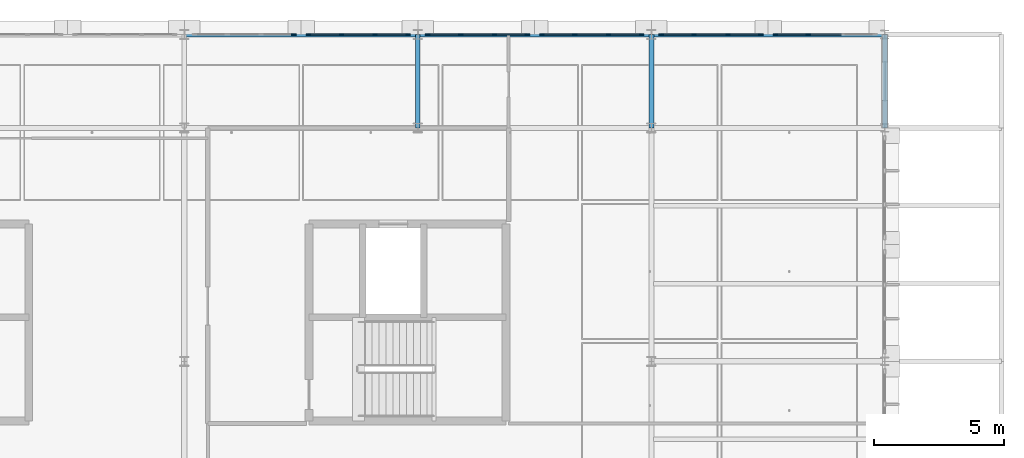
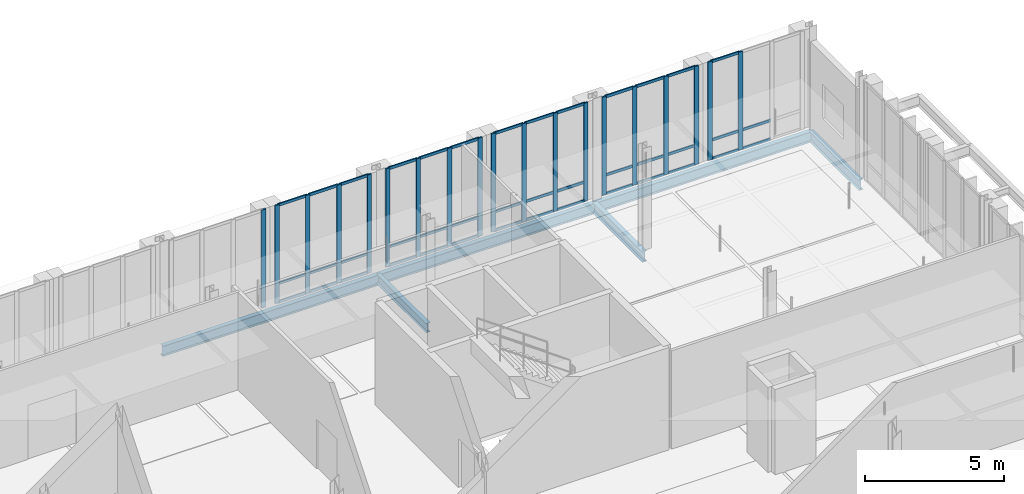
# One storey, part 70 of 140: 60 members, 6 beams, 6 elements without a shape of their own.
"""IFC4 building model written with IfcOpenShell, lengths in metres."""

from ifc_helpers import new_model, si_unit, direction, frame, origin, origin_2d, place, context, subcontext, project, spatial, rectangle, i_section, extrude, material, material_profile, profile_set, type_object, element, aggregate, save


model = new_model("IFC4")

# Units and contexts
model_context = context("Model", 3, precision=1e-05, world=origin(), true_north=direction((0.0, 1.0)))
body_context = subcontext(model_context, "Body", "Model", "MODEL_VIEW")
ifc_project = project(units=[si_unit("LENGTHUNIT", "METRE"), si_unit("AREAUNIT", "SQUARE_METRE"), si_unit("VOLUMEUNIT", "CUBIC_METRE"), si_unit("PLANEANGLEUNIT", "RADIAN"), si_unit("MASSUNIT", "GRAM", prefix="KILO"), si_unit("THERMODYNAMICTEMPERATUREUNIT", "KELVIN"), si_unit("POWERUNIT", "WATT")], contexts=[model_context])

# Site, building, storey
site_placement = place(None, origin())
site = spatial("IfcSite", under=ifc_project, at=site_placement, CompositionType="ELEMENT")
building_placement = place(site_placement, origin())
building = spatial("IfcBuilding", under=site, at=building_placement, Name="Tallowbark Science Centre", CompositionType="ELEMENT")
storey_placement = place(building_placement, frame((0.0, 0.0, 9.89990234375)))
storey = spatial("IfcBuildingStorey", under=building, at=storey_placement, Name="L02", CompositionType="ELEMENT", Elevation=9.89990234375)

# Beam
ifc_material_1 = material(Name="Structural Steel Grade 300PLUS (300 MPa)", Category="steel")
ifc_material_profile_1 = material_profile(ifc_material_1, i_section(OverallWidth=0.177734375, OverallDepth=0.406494140625, WebThickness=0.0078125, FlangeThickness=0.0126953125, FilletRadius=0.011474609375, at=origin_2d()), Name="410UB59.7")
ifc_profile_set_1 = profile_set([ifc_material_profile_1], Name="Structural Steel Grade 300PLUS (300 MPa)")
beam_type_1 = type_object("IfcBeamType", Name="BM-UB410", PredefinedType="BEAM", material=ifc_profile_set_1)
beam_placement = place(storey_placement, frame((139.5, 108.0, -0.383056640625), z_axis=(0.0, 1.0, 0.0), x_axis=(-1.0, 0.0, 0.0)))
element("IfcBeam", 1, at=beam_placement, inside=storey, type_object=beam_type_1, Name="Primary Girder GRDY-L02-1395-1080-1116", PredefinedType="BEAM", context=body_context, shape_type="SweptSolid", body=[
    extrude(i_section(OverallWidth=0.177734375, OverallDepth=0.406494140625, WebThickness=0.0078125, FlangeThickness=0.0126953125, FilletRadius=0.011474609375, at=origin_2d()), origin(), (0.0, 0.0, 1.0), 3.60009765625),
])

# Curtain wall, members
ifc_material_2 = material(Name="Unitised Thermally Broken Aluminium and Low-E Double Glazing", Category="aluminium")
curtain_wall_type = type_object("IfcCurtainWallType", Name="CW-SYS-FACADE", PredefinedType="NOTDEFINED", material=ifc_material_2)
curtain_wall_1_placement = place(storey_placement, origin())
curtain_wall_1 = element("IfcCurtainWall", 2, at=curtain_wall_1_placement, inside=storey, type_object=curtain_wall_type, Name="Unitised Curtain Wall OBS-N-130A CW-L02-148", PredefinedType="NOTDEFINED")
ifc_material_3 = material(Name="Anodised Architectural Aluminium Alloy 6063-T6", Category="aluminium")
ifc_material_profile_2 = material_profile(ifc_material_3, rectangle(XDim=0.06494140625, YDim=0.179931640625, at=origin_2d()), Name="ALU65x180")
ifc_profile_set_2 = profile_set([ifc_material_profile_2], Name="Anodised Architectural Aluminium Alloy 6063-T6")
member_type_1 = type_object("IfcMemberType", Name="CWM-MUL-220", PredefinedType="MULLION", material=ifc_profile_set_2)
member_1_placement = place(storey_placement, frame((139.117431640625, 111.60009765625, 0.0), z_axis=(0.0, 0.0, 1.0), x_axis=(0.0, -1.0, 0.0)))
member_1 = element("IfcMember", 3, at=member_1_placement, type_object=member_type_1, Name="CW-01 mullion 1", PredefinedType="MULLION", context=body_context, shape_type="SweptSolid", body=[
    extrude(rectangle(XDim=0.06494140625, YDim=0.179931640625, at=origin_2d()), origin(), (0.0, 0.0, 1.0), 4.320068359375),
])
member_2_placement = place(storey_placement, frame((137.85009765625, 111.60009765625, 0.0), z_axis=(0.0, 0.0, 1.0), x_axis=(0.0, -1.0, 0.0)))
member_2 = element("IfcMember", 4, at=member_2_placement, type_object=member_type_1, Name="CW-01 mullion 2", PredefinedType="MULLION", context=body_context, shape_type="SweptSolid", body=[
    extrude(rectangle(XDim=0.06494140625, YDim=0.179931640625, at=origin_2d()), origin(), (0.0, 0.0, 1.0), 4.320068359375),
])
member_3_placement = place(storey_placement, frame((136.550048828125, 111.60009765625, 0.0), z_axis=(0.0, 0.0, 1.0), x_axis=(0.0, -1.0, 0.0)))
member_3 = element("IfcMember", 5, at=member_3_placement, type_object=member_type_1, Name="CW-01 mullion 3", PredefinedType="MULLION", context=body_context, shape_type="SweptSolid", body=[
    extrude(rectangle(XDim=0.06494140625, YDim=0.179931640625, at=origin_2d()), origin(), (0.0, 0.0, 1.0), 4.320068359375),
])
member_4_placement = place(storey_placement, frame((135.282470703125, 111.60009765625, 0.0), z_axis=(0.0, 0.0, 1.0), x_axis=(0.0, -1.0, 0.0)))
member_4 = element("IfcMember", 6, at=member_4_placement, type_object=member_type_1, Name="CW-01 mullion 4", PredefinedType="MULLION", context=body_context, shape_type="SweptSolid", body=[
    extrude(rectangle(XDim=0.06494140625, YDim=0.179931640625, at=origin_2d()), origin(), (0.0, 0.0, 1.0), 4.320068359375),
])

# Curtain wall, member
curtain_wall_2_placement = place(storey_placement, origin())
curtain_wall_2 = element("IfcCurtainWall", 7, at=curtain_wall_2_placement, inside=storey, type_object=curtain_wall_type, Name="Unitised Curtain Wall OBS-N-130B CW-L02-149", PredefinedType="NOTDEFINED")
member_5_placement = place(storey_placement, frame((134.717529296875, 111.60009765625, 0.0), z_axis=(0.0, 0.0, 1.0), x_axis=(0.0, -1.0, 0.0)))
member_5 = element("IfcMember", 8, at=member_5_placement, type_object=member_type_1, Name="CW-01 mullion 1", PredefinedType="MULLION", context=body_context, shape_type="SweptSolid", body=[
    extrude(rectangle(XDim=0.06494140625, YDim=0.179931640625, at=origin_2d()), origin(), (0.0, 0.0, 1.0), 4.320068359375),
])
aggregate(curtain_wall_2, [member_5])

# Curtain wall, members
curtain_wall_3_placement = place(storey_placement, origin())
curtain_wall_3 = element("IfcCurtainWall", 9, at=curtain_wall_3_placement, inside=storey, type_object=curtain_wall_type, Name="Unitised Curtain Wall OBS-N-139A CW-L02-152", PredefinedType="NOTDEFINED")
member_6_placement = place(storey_placement, frame((148.117431640625, 111.60009765625, 0.0), z_axis=(0.0, 0.0, 1.0), x_axis=(0.0, -1.0, 0.0)))
member_6 = element("IfcMember", 10, at=member_6_placement, type_object=member_type_1, Name="CW-01 mullion 1", PredefinedType="MULLION", context=body_context, shape_type="SweptSolid", body=[
    extrude(rectangle(XDim=0.06494140625, YDim=0.179931640625, at=origin_2d()), origin(), (0.0, 0.0, 1.0), 4.320068359375),
])
member_7_placement = place(storey_placement, frame((146.85009765625, 111.60009765625, 0.0), z_axis=(0.0, 0.0, 1.0), x_axis=(0.0, -1.0, 0.0)))
member_7 = element("IfcMember", 11, at=member_7_placement, type_object=member_type_1, Name="CW-01 mullion 2", PredefinedType="MULLION", context=body_context, shape_type="SweptSolid", body=[
    extrude(rectangle(XDim=0.06494140625, YDim=0.179931640625, at=origin_2d()), origin(), (0.0, 0.0, 1.0), 4.320068359375),
])
member_8_placement = place(storey_placement, frame((145.550048828125, 111.60009765625, 0.0), z_axis=(0.0, 0.0, 1.0), x_axis=(0.0, -1.0, 0.0)))
member_8 = element("IfcMember", 12, at=member_8_placement, type_object=member_type_1, Name="CW-01 mullion 3", PredefinedType="MULLION", context=body_context, shape_type="SweptSolid", body=[
    extrude(rectangle(XDim=0.06494140625, YDim=0.179931640625, at=origin_2d()), origin(), (0.0, 0.0, 1.0), 4.320068359375),
])
member_9_placement = place(storey_placement, frame((144.282470703125, 111.60009765625, 0.0), z_axis=(0.0, 0.0, 1.0), x_axis=(0.0, -1.0, 0.0)))
member_9 = element("IfcMember", 13, at=member_9_placement, type_object=member_type_1, Name="CW-01 mullion 4", PredefinedType="MULLION", context=body_context, shape_type="SweptSolid", body=[
    extrude(rectangle(XDim=0.06494140625, YDim=0.179931640625, at=origin_2d()), origin(), (0.0, 0.0, 1.0), 4.320068359375),
])

curtain_wall_4_placement = place(storey_placement, origin())
curtain_wall_4 = element("IfcCurtainWall", 14, at=curtain_wall_4_placement, inside=storey, type_object=curtain_wall_type, Name="Unitised Curtain Wall OBS-N-139B CW-L02-153", PredefinedType="NOTDEFINED")
member_10_placement = place(storey_placement, frame((143.717529296875, 111.60009765625, 0.0), z_axis=(0.0, 0.0, 1.0), x_axis=(0.0, -1.0, 0.0)))
member_10 = element("IfcMember", 15, at=member_10_placement, type_object=member_type_1, Name="CW-01 mullion 1", PredefinedType="MULLION", context=body_context, shape_type="SweptSolid", body=[
    extrude(rectangle(XDim=0.06494140625, YDim=0.179931640625, at=origin_2d()), origin(), (0.0, 0.0, 1.0), 4.320068359375),
])
member_11_placement = place(storey_placement, frame((142.449951171875, 111.60009765625, 0.0), z_axis=(0.0, 0.0, 1.0), x_axis=(0.0, -1.0, 0.0)))
member_11 = element("IfcMember", 16, at=member_11_placement, type_object=member_type_1, Name="CW-01 mullion 2", PredefinedType="MULLION", context=body_context, shape_type="SweptSolid", body=[
    extrude(rectangle(XDim=0.06494140625, YDim=0.179931640625, at=origin_2d()), origin(), (0.0, 0.0, 1.0), 4.320068359375),
])
member_12_placement = place(storey_placement, frame((141.14990234375, 111.60009765625, 0.0), z_axis=(0.0, 0.0, 1.0), x_axis=(0.0, -1.0, 0.0)))
member_12 = element("IfcMember", 17, at=member_12_placement, type_object=member_type_1, Name="CW-01 mullion 3", PredefinedType="MULLION", context=body_context, shape_type="SweptSolid", body=[
    extrude(rectangle(XDim=0.06494140625, YDim=0.179931640625, at=origin_2d()), origin(), (0.0, 0.0, 1.0), 4.320068359375),
])
member_13_placement = place(storey_placement, frame((139.882568359375, 111.60009765625, 0.0), z_axis=(0.0, 0.0, 1.0), x_axis=(0.0, -1.0, 0.0)))
member_13 = element("IfcMember", 18, at=member_13_placement, type_object=member_type_1, Name="CW-01 mullion 4", PredefinedType="MULLION", context=body_context, shape_type="SweptSolid", body=[
    extrude(rectangle(XDim=0.06494140625, YDim=0.179931640625, at=origin_2d()), origin(), (0.0, 0.0, 1.0), 4.320068359375),
])

curtain_wall_5_placement = place(storey_placement, origin())
curtain_wall_5 = element("IfcCurtainWall", 19, at=curtain_wall_5_placement, inside=storey, type_object=curtain_wall_type, Name="Unitised Curtain Wall OBS-N-148A CW-L02-156", PredefinedType="NOTDEFINED")
member_14_placement = place(storey_placement, frame((154.550048828125, 111.60009765625, 0.0), z_axis=(0.0, 0.0, 1.0), x_axis=(0.0, -1.0, 0.0)))
member_14 = element("IfcMember", 20, at=member_14_placement, type_object=member_type_1, Name="CW-01 mullion 3", PredefinedType="MULLION", context=body_context, shape_type="SweptSolid", body=[
    extrude(rectangle(XDim=0.06494140625, YDim=0.179931640625, at=origin_2d()), origin(), (0.0, 0.0, 1.0), 4.320068359375),
])
member_15_placement = place(storey_placement, frame((153.282470703125, 111.60009765625, 0.0), z_axis=(0.0, 0.0, 1.0), x_axis=(0.0, -1.0, 0.0)))
member_15 = element("IfcMember", 21, at=member_15_placement, type_object=member_type_1, Name="CW-01 mullion 4", PredefinedType="MULLION", context=body_context, shape_type="SweptSolid", body=[
    extrude(rectangle(XDim=0.06494140625, YDim=0.179931640625, at=origin_2d()), origin(), (0.0, 0.0, 1.0), 4.320068359375),
])

curtain_wall_6_placement = place(storey_placement, origin())
curtain_wall_6 = element("IfcCurtainWall", 22, at=curtain_wall_6_placement, inside=storey, type_object=curtain_wall_type, Name="Unitised Curtain Wall OBS-N-148B CW-L02-157", PredefinedType="NOTDEFINED")
member_16_placement = place(storey_placement, frame((152.717529296875, 111.60009765625, 0.0), z_axis=(0.0, 0.0, 1.0), x_axis=(0.0, -1.0, 0.0)))
member_16 = element("IfcMember", 23, at=member_16_placement, type_object=member_type_1, Name="CW-01 mullion 1", PredefinedType="MULLION", context=body_context, shape_type="SweptSolid", body=[
    extrude(rectangle(XDim=0.06494140625, YDim=0.179931640625, at=origin_2d()), origin(), (0.0, 0.0, 1.0), 4.320068359375),
])
member_17_placement = place(storey_placement, frame((151.449951171875, 111.60009765625, 0.0), z_axis=(0.0, 0.0, 1.0), x_axis=(0.0, -1.0, 0.0)))
member_17 = element("IfcMember", 24, at=member_17_placement, type_object=member_type_1, Name="CW-01 mullion 2", PredefinedType="MULLION", context=body_context, shape_type="SweptSolid", body=[
    extrude(rectangle(XDim=0.06494140625, YDim=0.179931640625, at=origin_2d()), origin(), (0.0, 0.0, 1.0), 4.320068359375),
])
member_18_placement = place(storey_placement, frame((150.14990234375, 111.60009765625, 0.0), z_axis=(0.0, 0.0, 1.0), x_axis=(0.0, -1.0, 0.0)))
member_18 = element("IfcMember", 25, at=member_18_placement, type_object=member_type_1, Name="CW-01 mullion 3", PredefinedType="MULLION", context=body_context, shape_type="SweptSolid", body=[
    extrude(rectangle(XDim=0.06494140625, YDim=0.179931640625, at=origin_2d()), origin(), (0.0, 0.0, 1.0), 4.320068359375),
])
member_19_placement = place(storey_placement, frame((148.882568359375, 111.60009765625, 0.0), z_axis=(0.0, 0.0, 1.0), x_axis=(0.0, -1.0, 0.0)))
member_19 = element("IfcMember", 26, at=member_19_placement, type_object=member_type_1, Name="CW-01 mullion 4", PredefinedType="MULLION", context=body_context, shape_type="SweptSolid", body=[
    extrude(rectangle(XDim=0.06494140625, YDim=0.179931640625, at=origin_2d()), origin(), (0.0, 0.0, 1.0), 4.320068359375),
])

# Member
ifc_material_profile_3 = material_profile(ifc_material_3, rectangle(XDim=0.054931640625, YDim=0.1201171875, at=origin_2d()), Name="ALU55x120")
ifc_profile_set_3 = profile_set([ifc_material_profile_3], Name="Anodised Architectural Aluminium Alloy 6063-T6")
member_type_2 = type_object("IfcMemberType", Name="CWM-TRN-150", PredefinedType="USERDEFINED", material=ifc_profile_set_3)
member_20_placement = place(storey_placement, frame((139.0849609375, 111.60009765625, 0.027587890625), z_axis=(-1.0, 0.0, 0.0), x_axis=(0.0, -1.0, 0.0)))
member_20 = element("IfcMember", 27, at=member_20_placement, type_object=member_type_2, Name="CW-01 transom 1.1", ObjectType="TRANSOM", PredefinedType="USERDEFINED", context=body_context, shape_type="SweptSolid", body=[
    extrude(rectangle(XDim=0.054931640625, YDim=0.1201171875, at=origin_2d()), origin(), (0.0, 0.0, 1.0), 1.202392578125),
])

member_21_placement = place(storey_placement, frame((139.0849609375, 111.60009765625, 0.85009765625), z_axis=(-1.0, 0.0, 0.0), x_axis=(0.0, -1.0, 0.0)))
member_21 = element("IfcMember", 28, at=member_21_placement, type_object=member_type_2, Name="CW-01 transom 1.2", ObjectType="TRANSOM", PredefinedType="USERDEFINED", context=body_context, shape_type="SweptSolid", body=[
    extrude(rectangle(XDim=0.054931640625, YDim=0.1201171875, at=origin_2d()), origin(), (0.0, 0.0, 1.0), 1.202392578125),
])

member_22_placement = place(storey_placement, frame((139.0849609375, 111.60009765625, 4.29248046875), z_axis=(-1.0, 0.0, 0.0), x_axis=(0.0, -1.0, 0.0)))
member_22 = element("IfcMember", 29, at=member_22_placement, type_object=member_type_2, Name="CW-01 transom 1.3", ObjectType="TRANSOM", PredefinedType="USERDEFINED", context=body_context, shape_type="SweptSolid", body=[
    extrude(rectangle(XDim=0.054931640625, YDim=0.1201171875, at=origin_2d()), origin(), (0.0, 0.0, 1.0), 1.202392578125),
])

member_23_placement = place(storey_placement, frame((137.8173828125, 111.60009765625, 0.027587890625), z_axis=(-1.0, 0.0, 0.0), x_axis=(0.0, -1.0, 0.0)))
member_23 = element("IfcMember", 30, at=member_23_placement, type_object=member_type_2, Name="CW-01 transom 2.1", ObjectType="TRANSOM", PredefinedType="USERDEFINED", context=body_context, shape_type="SweptSolid", body=[
    extrude(rectangle(XDim=0.054931640625, YDim=0.1201171875, at=origin_2d()), origin(), (0.0, 0.0, 1.0), 1.23486328125),
])

member_24_placement = place(storey_placement, frame((137.8173828125, 111.60009765625, 0.85009765625), z_axis=(-1.0, 0.0, 0.0), x_axis=(0.0, -1.0, 0.0)))
member_24 = element("IfcMember", 31, at=member_24_placement, type_object=member_type_2, Name="CW-01 transom 2.2", ObjectType="TRANSOM", PredefinedType="USERDEFINED", context=body_context, shape_type="SweptSolid", body=[
    extrude(rectangle(XDim=0.054931640625, YDim=0.1201171875, at=origin_2d()), origin(), (0.0, 0.0, 1.0), 1.23486328125),
])

member_25_placement = place(storey_placement, frame((137.8173828125, 111.60009765625, 4.29248046875), z_axis=(-1.0, 0.0, 0.0), x_axis=(0.0, -1.0, 0.0)))
member_25 = element("IfcMember", 32, at=member_25_placement, type_object=member_type_2, Name="CW-01 transom 2.3", ObjectType="TRANSOM", PredefinedType="USERDEFINED", context=body_context, shape_type="SweptSolid", body=[
    extrude(rectangle(XDim=0.054931640625, YDim=0.1201171875, at=origin_2d()), origin(), (0.0, 0.0, 1.0), 1.23486328125),
])

member_26_placement = place(storey_placement, frame((136.517578125, 111.60009765625, 0.027587890625), z_axis=(-1.0, 0.0, 0.0), x_axis=(0.0, -1.0, 0.0)))
member_26 = element("IfcMember", 33, at=member_26_placement, type_object=member_type_2, Name="CW-01 transom 3.1", ObjectType="TRANSOM", PredefinedType="USERDEFINED", context=body_context, shape_type="SweptSolid", body=[
    extrude(rectangle(XDim=0.054931640625, YDim=0.1201171875, at=origin_2d()), origin(), (0.0, 0.0, 1.0), 1.20263671875),
])

member_27_placement = place(storey_placement, frame((136.517578125, 111.60009765625, 0.85009765625), z_axis=(-1.0, 0.0, 0.0), x_axis=(0.0, -1.0, 0.0)))
member_27 = element("IfcMember", 34, at=member_27_placement, type_object=member_type_2, Name="CW-01 transom 3.2", ObjectType="TRANSOM", PredefinedType="USERDEFINED", context=body_context, shape_type="SweptSolid", body=[
    extrude(rectangle(XDim=0.054931640625, YDim=0.1201171875, at=origin_2d()), origin(), (0.0, 0.0, 1.0), 1.20263671875),
])

member_28_placement = place(storey_placement, frame((136.517578125, 111.60009765625, 4.29248046875), z_axis=(-1.0, 0.0, 0.0), x_axis=(0.0, -1.0, 0.0)))
member_28 = element("IfcMember", 35, at=member_28_placement, type_object=member_type_2, Name="CW-01 transom 3.3", ObjectType="TRANSOM", PredefinedType="USERDEFINED", context=body_context, shape_type="SweptSolid", body=[
    extrude(rectangle(XDim=0.054931640625, YDim=0.1201171875, at=origin_2d()), origin(), (0.0, 0.0, 1.0), 1.20263671875),
])

aggregate(curtain_wall_1, [member_1, member_2, member_3, member_4, member_20, member_21, member_22, member_23, member_24, member_25, member_26, member_27, member_28])

member_29_placement = place(storey_placement, frame((148.0849609375, 111.60009765625, 0.027587890625), z_axis=(-1.0, 0.0, 0.0), x_axis=(0.0, -1.0, 0.0)))
member_29 = element("IfcMember", 36, at=member_29_placement, type_object=member_type_2, Name="CW-01 transom 1.1", ObjectType="TRANSOM", PredefinedType="USERDEFINED", context=body_context, shape_type="SweptSolid", body=[
    extrude(rectangle(XDim=0.054931640625, YDim=0.1201171875, at=origin_2d()), origin(), (0.0, 0.0, 1.0), 1.202392578125),
])

member_30_placement = place(storey_placement, frame((148.0849609375, 111.60009765625, 0.85009765625), z_axis=(-1.0, 0.0, 0.0), x_axis=(0.0, -1.0, 0.0)))
member_30 = element("IfcMember", 37, at=member_30_placement, type_object=member_type_2, Name="CW-01 transom 1.2", ObjectType="TRANSOM", PredefinedType="USERDEFINED", context=body_context, shape_type="SweptSolid", body=[
    extrude(rectangle(XDim=0.054931640625, YDim=0.1201171875, at=origin_2d()), origin(), (0.0, 0.0, 1.0), 1.202392578125),
])

member_31_placement = place(storey_placement, frame((148.0849609375, 111.60009765625, 4.29248046875), z_axis=(-1.0, 0.0, 0.0), x_axis=(0.0, -1.0, 0.0)))
member_31 = element("IfcMember", 38, at=member_31_placement, type_object=member_type_2, Name="CW-01 transom 1.3", ObjectType="TRANSOM", PredefinedType="USERDEFINED", context=body_context, shape_type="SweptSolid", body=[
    extrude(rectangle(XDim=0.054931640625, YDim=0.1201171875, at=origin_2d()), origin(), (0.0, 0.0, 1.0), 1.202392578125),
])

member_32_placement = place(storey_placement, frame((146.8173828125, 111.60009765625, 0.027587890625), z_axis=(-1.0, 0.0, 0.0), x_axis=(0.0, -1.0, 0.0)))
member_32 = element("IfcMember", 39, at=member_32_placement, type_object=member_type_2, Name="CW-01 transom 2.1", ObjectType="TRANSOM", PredefinedType="USERDEFINED", context=body_context, shape_type="SweptSolid", body=[
    extrude(rectangle(XDim=0.054931640625, YDim=0.1201171875, at=origin_2d()), origin(), (0.0, 0.0, 1.0), 1.23486328125),
])

member_33_placement = place(storey_placement, frame((146.8173828125, 111.60009765625, 0.85009765625), z_axis=(-1.0, 0.0, 0.0), x_axis=(0.0, -1.0, 0.0)))
member_33 = element("IfcMember", 40, at=member_33_placement, type_object=member_type_2, Name="CW-01 transom 2.2", ObjectType="TRANSOM", PredefinedType="USERDEFINED", context=body_context, shape_type="SweptSolid", body=[
    extrude(rectangle(XDim=0.054931640625, YDim=0.1201171875, at=origin_2d()), origin(), (0.0, 0.0, 1.0), 1.23486328125),
])

member_34_placement = place(storey_placement, frame((146.8173828125, 111.60009765625, 4.29248046875), z_axis=(-1.0, 0.0, 0.0), x_axis=(0.0, -1.0, 0.0)))
member_34 = element("IfcMember", 41, at=member_34_placement, type_object=member_type_2, Name="CW-01 transom 2.3", ObjectType="TRANSOM", PredefinedType="USERDEFINED", context=body_context, shape_type="SweptSolid", body=[
    extrude(rectangle(XDim=0.054931640625, YDim=0.1201171875, at=origin_2d()), origin(), (0.0, 0.0, 1.0), 1.23486328125),
])

member_35_placement = place(storey_placement, frame((145.517578125, 111.60009765625, 0.027587890625), z_axis=(-1.0, 0.0, 0.0), x_axis=(0.0, -1.0, 0.0)))
member_35 = element("IfcMember", 42, at=member_35_placement, type_object=member_type_2, Name="CW-01 transom 3.1", ObjectType="TRANSOM", PredefinedType="USERDEFINED", context=body_context, shape_type="SweptSolid", body=[
    extrude(rectangle(XDim=0.054931640625, YDim=0.1201171875, at=origin_2d()), origin(), (0.0, 0.0, 1.0), 1.20263671875),
])

member_36_placement = place(storey_placement, frame((145.517578125, 111.60009765625, 0.85009765625), z_axis=(-1.0, 0.0, 0.0), x_axis=(0.0, -1.0, 0.0)))
member_36 = element("IfcMember", 43, at=member_36_placement, type_object=member_type_2, Name="CW-01 transom 3.2", ObjectType="TRANSOM", PredefinedType="USERDEFINED", context=body_context, shape_type="SweptSolid", body=[
    extrude(rectangle(XDim=0.054931640625, YDim=0.1201171875, at=origin_2d()), origin(), (0.0, 0.0, 1.0), 1.20263671875),
])

member_37_placement = place(storey_placement, frame((145.517578125, 111.60009765625, 4.29248046875), z_axis=(-1.0, 0.0, 0.0), x_axis=(0.0, -1.0, 0.0)))
member_37 = element("IfcMember", 44, at=member_37_placement, type_object=member_type_2, Name="CW-01 transom 3.3", ObjectType="TRANSOM", PredefinedType="USERDEFINED", context=body_context, shape_type="SweptSolid", body=[
    extrude(rectangle(XDim=0.054931640625, YDim=0.1201171875, at=origin_2d()), origin(), (0.0, 0.0, 1.0), 1.20263671875),
])

aggregate(curtain_wall_3, [member_6, member_7, member_8, member_9, member_29, member_30, member_31, member_32, member_33, member_34, member_35, member_36, member_37])

member_38_placement = place(storey_placement, frame((143.68505859375, 111.60009765625, 0.027587890625), z_axis=(-1.0, 0.0, 0.0), x_axis=(0.0, -1.0, 0.0)))
member_38 = element("IfcMember", 45, at=member_38_placement, type_object=member_type_2, Name="CW-01 transom 1.1", ObjectType="TRANSOM", PredefinedType="USERDEFINED", context=body_context, shape_type="SweptSolid", body=[
    extrude(rectangle(XDim=0.054931640625, YDim=0.1201171875, at=origin_2d()), origin(), (0.0, 0.0, 1.0), 1.20263671875),
])

member_39_placement = place(storey_placement, frame((143.68505859375, 111.60009765625, 0.85009765625), z_axis=(-1.0, 0.0, 0.0), x_axis=(0.0, -1.0, 0.0)))
member_39 = element("IfcMember", 46, at=member_39_placement, type_object=member_type_2, Name="CW-01 transom 1.2", ObjectType="TRANSOM", PredefinedType="USERDEFINED", context=body_context, shape_type="SweptSolid", body=[
    extrude(rectangle(XDim=0.054931640625, YDim=0.1201171875, at=origin_2d()), origin(), (0.0, 0.0, 1.0), 1.20263671875),
])

member_40_placement = place(storey_placement, frame((143.68505859375, 111.60009765625, 4.29248046875), z_axis=(-1.0, 0.0, 0.0), x_axis=(0.0, -1.0, 0.0)))
member_40 = element("IfcMember", 47, at=member_40_placement, type_object=member_type_2, Name="CW-01 transom 1.3", ObjectType="TRANSOM", PredefinedType="USERDEFINED", context=body_context, shape_type="SweptSolid", body=[
    extrude(rectangle(XDim=0.054931640625, YDim=0.1201171875, at=origin_2d()), origin(), (0.0, 0.0, 1.0), 1.20263671875),
])

member_41_placement = place(storey_placement, frame((142.41748046875, 111.60009765625, 0.027587890625), z_axis=(-1.0, 0.0, 0.0), x_axis=(0.0, -1.0, 0.0)))
member_41 = element("IfcMember", 48, at=member_41_placement, type_object=member_type_2, Name="CW-01 transom 2.1", ObjectType="TRANSOM", PredefinedType="USERDEFINED", context=body_context, shape_type="SweptSolid", body=[
    extrude(rectangle(XDim=0.054931640625, YDim=0.1201171875, at=origin_2d()), origin(), (0.0, 0.0, 1.0), 1.23486328125),
])

member_42_placement = place(storey_placement, frame((142.41748046875, 111.60009765625, 0.85009765625), z_axis=(-1.0, 0.0, 0.0), x_axis=(0.0, -1.0, 0.0)))
member_42 = element("IfcMember", 49, at=member_42_placement, type_object=member_type_2, Name="CW-01 transom 2.2", ObjectType="TRANSOM", PredefinedType="USERDEFINED", context=body_context, shape_type="SweptSolid", body=[
    extrude(rectangle(XDim=0.054931640625, YDim=0.1201171875, at=origin_2d()), origin(), (0.0, 0.0, 1.0), 1.23486328125),
])

member_43_placement = place(storey_placement, frame((142.41748046875, 111.60009765625, 4.29248046875), z_axis=(-1.0, 0.0, 0.0), x_axis=(0.0, -1.0, 0.0)))
member_43 = element("IfcMember", 50, at=member_43_placement, type_object=member_type_2, Name="CW-01 transom 2.3", ObjectType="TRANSOM", PredefinedType="USERDEFINED", context=body_context, shape_type="SweptSolid", body=[
    extrude(rectangle(XDim=0.054931640625, YDim=0.1201171875, at=origin_2d()), origin(), (0.0, 0.0, 1.0), 1.23486328125),
])

member_44_placement = place(storey_placement, frame((141.117431640625, 111.60009765625, 0.027587890625), z_axis=(-1.0, 0.0, 0.0), x_axis=(0.0, -1.0, 0.0)))
member_44 = element("IfcMember", 51, at=member_44_placement, type_object=member_type_2, Name="CW-01 transom 3.1", ObjectType="TRANSOM", PredefinedType="USERDEFINED", context=body_context, shape_type="SweptSolid", body=[
    extrude(rectangle(XDim=0.054931640625, YDim=0.1201171875, at=origin_2d()), origin(), (0.0, 0.0, 1.0), 1.202392578125),
])

member_45_placement = place(storey_placement, frame((141.117431640625, 111.60009765625, 0.85009765625), z_axis=(-1.0, 0.0, 0.0), x_axis=(0.0, -1.0, 0.0)))
member_45 = element("IfcMember", 52, at=member_45_placement, type_object=member_type_2, Name="CW-01 transom 3.2", ObjectType="TRANSOM", PredefinedType="USERDEFINED", context=body_context, shape_type="SweptSolid", body=[
    extrude(rectangle(XDim=0.054931640625, YDim=0.1201171875, at=origin_2d()), origin(), (0.0, 0.0, 1.0), 1.202392578125),
])

member_46_placement = place(storey_placement, frame((141.117431640625, 111.60009765625, 4.29248046875), z_axis=(-1.0, 0.0, 0.0), x_axis=(0.0, -1.0, 0.0)))
member_46 = element("IfcMember", 53, at=member_46_placement, type_object=member_type_2, Name="CW-01 transom 3.3", ObjectType="TRANSOM", PredefinedType="USERDEFINED", context=body_context, shape_type="SweptSolid", body=[
    extrude(rectangle(XDim=0.054931640625, YDim=0.1201171875, at=origin_2d()), origin(), (0.0, 0.0, 1.0), 1.202392578125),
])

aggregate(curtain_wall_4, [member_10, member_11, member_12, member_13, member_38, member_39, member_40, member_41, member_42, member_43, member_44, member_45, member_46])

member_47_placement = place(storey_placement, frame((155.8173828125, 111.60009765625, 0.027587890625), z_axis=(-1.0, 0.0, 0.0), x_axis=(0.0, -1.0, 0.0)))
member_47 = element("IfcMember", 54, at=member_47_placement, type_object=member_type_2, Name="CW-01 transom 2.1", ObjectType="TRANSOM", PredefinedType="USERDEFINED", context=body_context, shape_type="SweptSolid", body=[
    extrude(rectangle(XDim=0.054931640625, YDim=0.1201171875, at=origin_2d()), origin(), (0.0, 0.0, 1.0), 1.23486328125),
])

member_48_placement = place(storey_placement, frame((155.8173828125, 111.60009765625, 0.85009765625), z_axis=(-1.0, 0.0, 0.0), x_axis=(0.0, -1.0, 0.0)))
member_48 = element("IfcMember", 55, at=member_48_placement, type_object=member_type_2, Name="CW-01 transom 2.2", ObjectType="TRANSOM", PredefinedType="USERDEFINED", context=body_context, shape_type="SweptSolid", body=[
    extrude(rectangle(XDim=0.054931640625, YDim=0.1201171875, at=origin_2d()), origin(), (0.0, 0.0, 1.0), 1.23486328125),
])

member_49_placement = place(storey_placement, frame((154.517578125, 111.60009765625, 0.027587890625), z_axis=(-1.0, 0.0, 0.0), x_axis=(0.0, -1.0, 0.0)))
member_49 = element("IfcMember", 56, at=member_49_placement, type_object=member_type_2, Name="CW-01 transom 3.1", ObjectType="TRANSOM", PredefinedType="USERDEFINED", context=body_context, shape_type="SweptSolid", body=[
    extrude(rectangle(XDim=0.054931640625, YDim=0.1201171875, at=origin_2d()), origin(), (0.0, 0.0, 1.0), 1.20263671875),
])

member_50_placement = place(storey_placement, frame((154.517578125, 111.60009765625, 0.85009765625), z_axis=(-1.0, 0.0, 0.0), x_axis=(0.0, -1.0, 0.0)))
member_50 = element("IfcMember", 57, at=member_50_placement, type_object=member_type_2, Name="CW-01 transom 3.2", ObjectType="TRANSOM", PredefinedType="USERDEFINED", context=body_context, shape_type="SweptSolid", body=[
    extrude(rectangle(XDim=0.054931640625, YDim=0.1201171875, at=origin_2d()), origin(), (0.0, 0.0, 1.0), 1.20263671875),
])

member_51_placement = place(storey_placement, frame((154.517578125, 111.60009765625, 4.29248046875), z_axis=(-1.0, 0.0, 0.0), x_axis=(0.0, -1.0, 0.0)))
member_51 = element("IfcMember", 58, at=member_51_placement, type_object=member_type_2, Name="CW-01 transom 3.3", ObjectType="TRANSOM", PredefinedType="USERDEFINED", context=body_context, shape_type="SweptSolid", body=[
    extrude(rectangle(XDim=0.054931640625, YDim=0.1201171875, at=origin_2d()), origin(), (0.0, 0.0, 1.0), 1.20263671875),
])

aggregate(curtain_wall_5, [member_14, member_15, member_47, member_48, member_49, member_50, member_51])

member_52_placement = place(storey_placement, frame((152.68505859375, 111.60009765625, 0.027587890625), z_axis=(-1.0, 0.0, 0.0), x_axis=(0.0, -1.0, 0.0)))
member_52 = element("IfcMember", 59, at=member_52_placement, type_object=member_type_2, Name="CW-01 transom 1.1", ObjectType="TRANSOM", PredefinedType="USERDEFINED", context=body_context, shape_type="SweptSolid", body=[
    extrude(rectangle(XDim=0.054931640625, YDim=0.1201171875, at=origin_2d()), origin(), (0.0, 0.0, 1.0), 1.20263671875),
])

member_53_placement = place(storey_placement, frame((152.68505859375, 111.60009765625, 0.85009765625), z_axis=(-1.0, 0.0, 0.0), x_axis=(0.0, -1.0, 0.0)))
member_53 = element("IfcMember", 60, at=member_53_placement, type_object=member_type_2, Name="CW-01 transom 1.2", ObjectType="TRANSOM", PredefinedType="USERDEFINED", context=body_context, shape_type="SweptSolid", body=[
    extrude(rectangle(XDim=0.054931640625, YDim=0.1201171875, at=origin_2d()), origin(), (0.0, 0.0, 1.0), 1.20263671875),
])

member_54_placement = place(storey_placement, frame((152.68505859375, 111.60009765625, 4.29248046875), z_axis=(-1.0, 0.0, 0.0), x_axis=(0.0, -1.0, 0.0)))
member_54 = element("IfcMember", 61, at=member_54_placement, type_object=member_type_2, Name="CW-01 transom 1.3", ObjectType="TRANSOM", PredefinedType="USERDEFINED", context=body_context, shape_type="SweptSolid", body=[
    extrude(rectangle(XDim=0.054931640625, YDim=0.1201171875, at=origin_2d()), origin(), (0.0, 0.0, 1.0), 1.20263671875),
])

member_55_placement = place(storey_placement, frame((151.41748046875, 111.60009765625, 0.027587890625), z_axis=(-1.0, 0.0, 0.0), x_axis=(0.0, -1.0, 0.0)))
member_55 = element("IfcMember", 62, at=member_55_placement, type_object=member_type_2, Name="CW-01 transom 2.1", ObjectType="TRANSOM", PredefinedType="USERDEFINED", context=body_context, shape_type="SweptSolid", body=[
    extrude(rectangle(XDim=0.054931640625, YDim=0.1201171875, at=origin_2d()), origin(), (0.0, 0.0, 1.0), 1.23486328125),
])

member_56_placement = place(storey_placement, frame((151.41748046875, 111.60009765625, 0.85009765625), z_axis=(-1.0, 0.0, 0.0), x_axis=(0.0, -1.0, 0.0)))
member_56 = element("IfcMember", 63, at=member_56_placement, type_object=member_type_2, Name="CW-01 transom 2.2", ObjectType="TRANSOM", PredefinedType="USERDEFINED", context=body_context, shape_type="SweptSolid", body=[
    extrude(rectangle(XDim=0.054931640625, YDim=0.1201171875, at=origin_2d()), origin(), (0.0, 0.0, 1.0), 1.23486328125),
])

member_57_placement = place(storey_placement, frame((151.41748046875, 111.60009765625, 4.29248046875), z_axis=(-1.0, 0.0, 0.0), x_axis=(0.0, -1.0, 0.0)))
member_57 = element("IfcMember", 64, at=member_57_placement, type_object=member_type_2, Name="CW-01 transom 2.3", ObjectType="TRANSOM", PredefinedType="USERDEFINED", context=body_context, shape_type="SweptSolid", body=[
    extrude(rectangle(XDim=0.054931640625, YDim=0.1201171875, at=origin_2d()), origin(), (0.0, 0.0, 1.0), 1.23486328125),
])

member_58_placement = place(storey_placement, frame((150.117431640625, 111.60009765625, 0.027587890625), z_axis=(-1.0, 0.0, 0.0), x_axis=(0.0, -1.0, 0.0)))
member_58 = element("IfcMember", 65, at=member_58_placement, type_object=member_type_2, Name="CW-01 transom 3.1", ObjectType="TRANSOM", PredefinedType="USERDEFINED", context=body_context, shape_type="SweptSolid", body=[
    extrude(rectangle(XDim=0.054931640625, YDim=0.1201171875, at=origin_2d()), origin(), (0.0, 0.0, 1.0), 1.202392578125),
])

member_59_placement = place(storey_placement, frame((150.117431640625, 111.60009765625, 0.85009765625), z_axis=(-1.0, 0.0, 0.0), x_axis=(0.0, -1.0, 0.0)))
member_59 = element("IfcMember", 66, at=member_59_placement, type_object=member_type_2, Name="CW-01 transom 3.2", ObjectType="TRANSOM", PredefinedType="USERDEFINED", context=body_context, shape_type="SweptSolid", body=[
    extrude(rectangle(XDim=0.054931640625, YDim=0.1201171875, at=origin_2d()), origin(), (0.0, 0.0, 1.0), 1.202392578125),
])

member_60_placement = place(storey_placement, frame((150.117431640625, 111.60009765625, 4.29248046875), z_axis=(-1.0, 0.0, 0.0), x_axis=(0.0, -1.0, 0.0)))
member_60 = element("IfcMember", 67, at=member_60_placement, type_object=member_type_2, Name="CW-01 transom 3.3", ObjectType="TRANSOM", PredefinedType="USERDEFINED", context=body_context, shape_type="SweptSolid", body=[
    extrude(rectangle(XDim=0.054931640625, YDim=0.1201171875, at=origin_2d()), origin(), (0.0, 0.0, 1.0), 1.202392578125),
])

aggregate(curtain_wall_6, [member_16, member_17, member_18, member_19, member_52, member_53, member_54, member_55, member_56, member_57, member_58, member_59, member_60])

# Beams
ifc_material_profile_4 = material_profile(ifc_material_1, i_section(OverallWidth=0.18994140625, OverallDepth=0.453857421875, WebThickness=0.008544921875, FlangeThickness=0.0126953125, FilletRadius=0.011474609375, at=origin_2d()), Name="460UB67.1")
ifc_profile_set_4 = profile_set([ifc_material_profile_4], Name="Structural Steel Grade 300PLUS (300 MPa)")
beam_type_2 = type_object("IfcBeamType", Name="SPN-UB460", PredefinedType="SPANDREL", material=ifc_profile_set_4)
for number, where, z_axis, x_axis, name in (
    (68, (130.5, 111.60009765625, -0.40673828125), (1.0, 0.0, 0.0), (0.0, 1.0, 0.0), "Primary Girder GRDX-L02-1305-1395-1116"),
    (69, (139.5, 111.60009765625, -0.40673828125), (1.0, 0.0, 0.0), (0.0, 1.0, 0.0), "Primary Girder GRDX-L02-1395-1485-1116"),
    (70, (148.5, 111.60009765625, -0.40673828125), (1.0, 0.0, 0.0), (0.0, 1.0, 0.0), "Primary Girder GRDX-L02-1485-1575-1116"),
):
    element("IfcBeam", number, at=place(storey_placement, frame(where, z_axis=z_axis, x_axis=x_axis)), inside=storey, type_object=beam_type_2, Name=name, PredefinedType="SPANDREL", context=body_context, shape_type="SweptSolid", body=[
        extrude(i_section(OverallWidth=0.18994140625, OverallDepth=0.453857421875, WebThickness=0.008544921875, FlangeThickness=0.0126953125, FilletRadius=0.011474609375, at=origin_2d()), origin(), (0.0, 0.0, 1.0), 9.0),
    ])
for number, where, z_axis, x_axis, name in (
    (71, (148.5, 108.0, -0.40673828125), (0.0, 1.0, 0.0), (-1.0, 0.0, 0.0), "Primary Girder GRDY-L02-1485-1080-1116"),
    (72, (157.5, 108.0, -0.40673828125), (0.0, 1.0, 0.0), (-1.0, 0.0, 0.0), "Primary Girder GRDY-L02-1575-1080-1116"),
):
    element("IfcBeam", number, at=place(storey_placement, frame(where, z_axis=z_axis, x_axis=x_axis)), inside=storey, type_object=beam_type_2, Name=name, PredefinedType="SPANDREL", context=body_context, shape_type="SweptSolid", body=[
        extrude(i_section(OverallWidth=0.18994140625, OverallDepth=0.453857421875, WebThickness=0.008544921875, FlangeThickness=0.0126953125, FilletRadius=0.011474609375, at=origin_2d()), origin(), (0.0, 0.0, 1.0), 3.60009765625),
    ])

save(model, "model.ifc")
